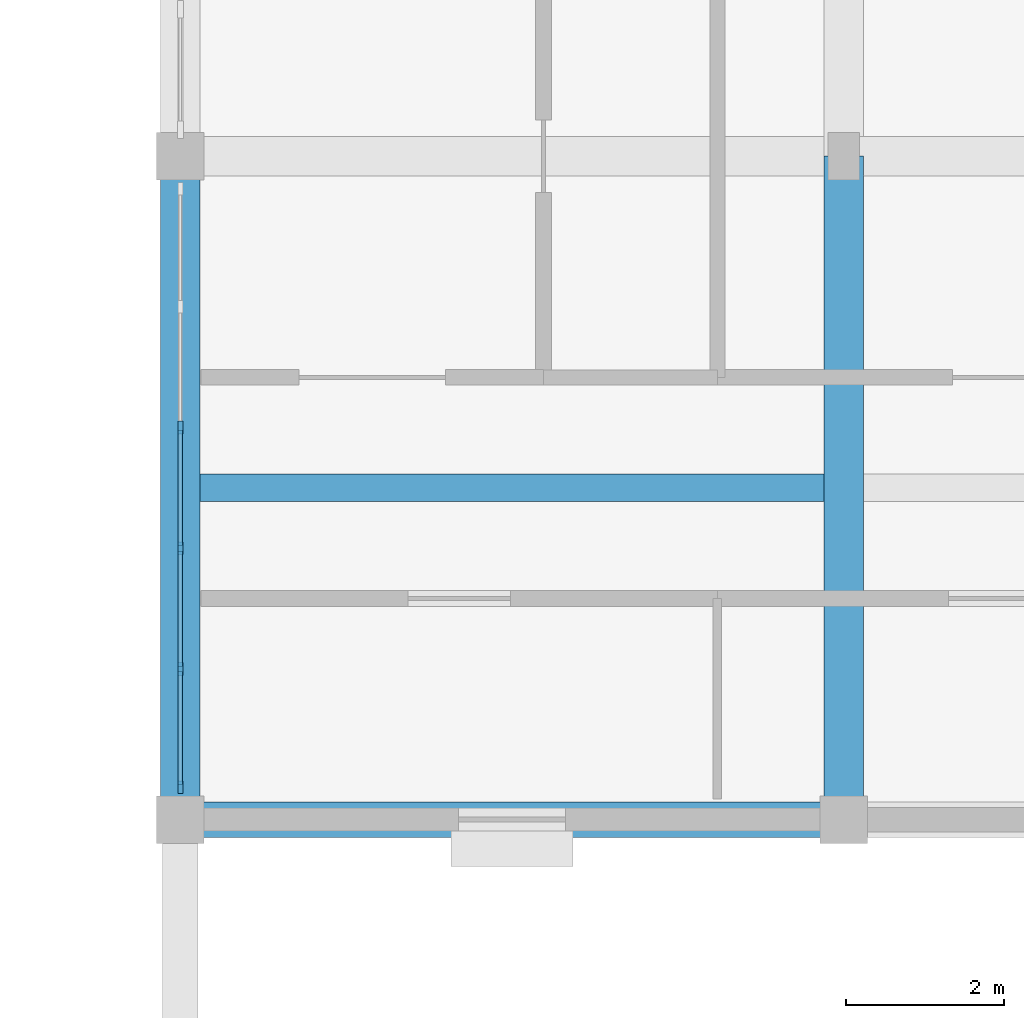
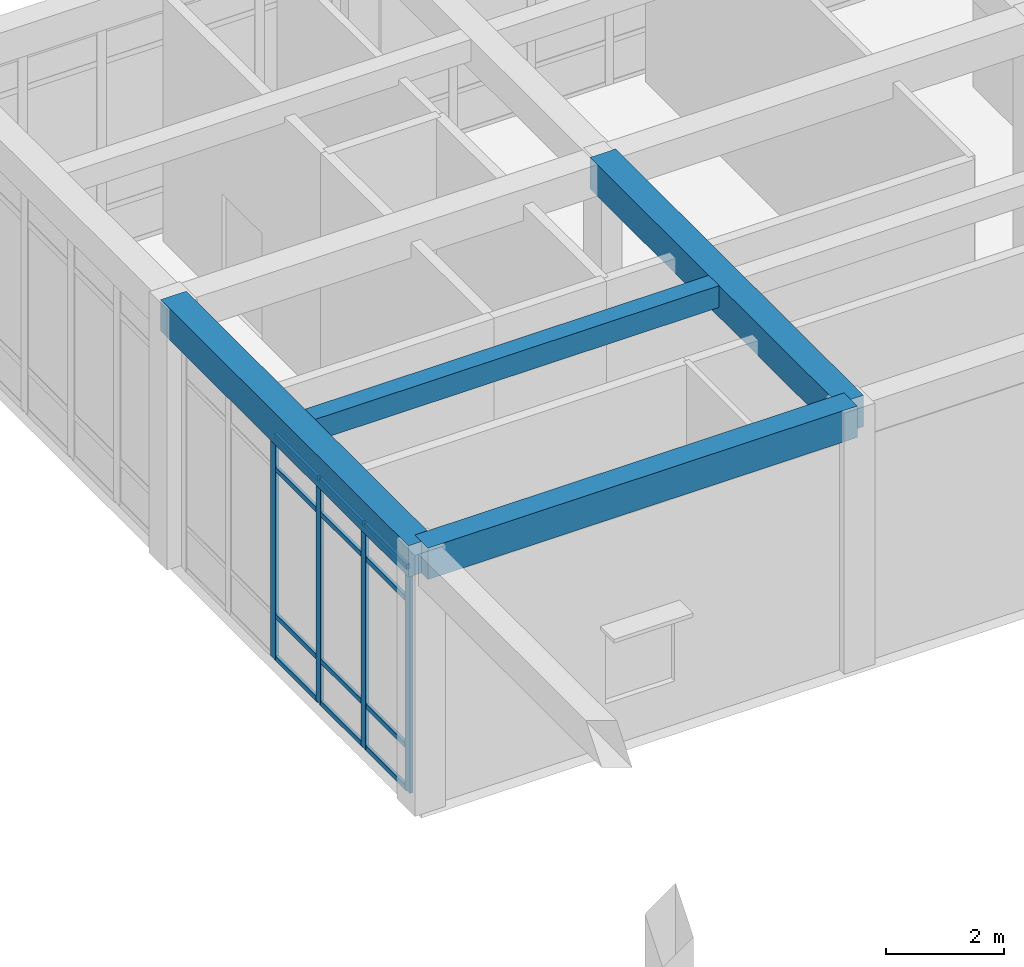
# One storey, part 10 of 89: 16 members, 4 beams, 1 element without a shape of its own.
"""IFC4 building model written with IfcOpenShell, lengths in metres."""

from ifc_helpers import new_model, si_unit, direction, frame, origin, origin_2d, place, context, subcontext, project, spatial, rectangle, extrude, material, material_profile, profile_set, type_object, element, aggregate, save


model = new_model("IFC4")

# Units and contexts
model_context = context("Model", 3, precision=1e-05, world=origin(), true_north=direction((0.0, 1.0)))
body_context = subcontext(model_context, "Body", "Model", "MODEL_VIEW")
ifc_project = project(units=[si_unit("LENGTHUNIT", "METRE"), si_unit("AREAUNIT", "SQUARE_METRE"), si_unit("VOLUMEUNIT", "CUBIC_METRE"), si_unit("PLANEANGLEUNIT", "RADIAN"), si_unit("MASSUNIT", "GRAM", prefix="KILO")], contexts=[model_context])

# Site, building, storey
site_placement = place(None, origin())
site = spatial("IfcSite", under=ifc_project, at=site_placement, CompositionType="ELEMENT")
building_placement = place(site_placement, origin())
building = spatial("IfcBuilding", under=site, at=building_placement, Name="Varncliffe General Hospital", CompositionType="ELEMENT")
storey_placement = place(building_placement, frame((0.0, 0.0, 10.800048828125)))
storey = spatial("IfcBuildingStorey", under=building, at=storey_placement, Name="L02", CompositionType="ELEMENT", Elevation=10.800048828125)

# Beams
ifc_material_1 = material(Name="Concrete C35/45 (CSA A23.1 35 MPa)", Category="concrete")
ifc_material_profile_1 = material_profile(ifc_material_1, rectangle(XDim=0.5, YDim=0.64990234375, at=origin_2d()), Name="RC 500x650")
ifc_profile_set_1 = profile_set([ifc_material_profile_1], Name="Concrete C35/45 (CSA A23.1 35 MPa)")
beam_type_1 = type_object("IfcBeamType", Name="Beam B29 (Int RC 500x650)", PredefinedType="BEAM", material=ifc_profile_set_1)
for number, where, z_axis, x_axis, name in (
    (1, (117.60009765625, 24.0, 5.074951171875), (0.0, 1.0, 0.0), (-1.0, 0.0, 0.0), "L02 Primary Beam B29-388"),
    (2, (126.0, 24.0, 5.074951171875), (0.0, 1.0, 0.0), (-1.0, 0.0, 0.0), "L02 Primary Beam B29-402"),
):
    element("IfcBeam", number, at=place(storey_placement, frame(where, z_axis=z_axis, x_axis=x_axis)), inside=storey, type_object=beam_type_1, Name=name, PredefinedType="BEAM", context=body_context, shape_type="SweptSolid", body=[
        extrude(rectangle(XDim=0.5, YDim=0.64990234375, at=origin_2d()), origin(), (0.0, 0.0, 1.0), 8.39990234375),
    ])

# Curtain wall, members
ifc_material_2 = material(Name="Triple low-E argon insulated vision glazing", Category="glass")
curtain_wall_type = type_object("IfcCurtainWallType", Name="Unitised Glazed Curtain Wall CW27 (7644x4640)", PredefinedType="USERDEFINED", material=ifc_material_2)
curtain_wall_placement = place(storey_placement, origin())
curtain_wall = element("IfcCurtainWall", 3, at=curtain_wall_placement, inside=storey, type_object=curtain_wall_type, Name="L02 Glazed Curtain Wall CW27-116", ObjectType="GLAZED CURTAIN WALL", PredefinedType="USERDEFINED")
ifc_material_3 = material(Name="Dark bronze thermally broken aluminium framing", Category="aluminium")
ifc_material_profile_2 = material_profile(ifc_material_3, rectangle(XDim=0.06494140625, YDim=0.159912109375, at=origin_2d()), Name="ALU 65x160")
ifc_profile_set_2 = profile_set([ifc_material_profile_2], Name="Dark bronze thermally broken aluminium framing")
member_type_1 = type_object("IfcMemberType", Name="Curtain Wall Mullion CM65 (ALU 65x160)", PredefinedType="MULLION", material=ifc_profile_set_2)
member_1_placement = place(storey_placement, frame((117.60009765625, 24.410400390625, 0.0), z_axis=(0.0, 0.0, 1.0), x_axis=(-1.0, 0.0, 0.0)))
member_1 = element("IfcMember", 4, at=member_1_placement, type_object=member_type_1, Name="CW27 mullion 1", PredefinedType="MULLION", context=body_context, shape_type="SweptSolid", body=[
    extrude(rectangle(XDim=0.06494140625, YDim=0.159912109375, at=origin_2d()), origin(), (0.0, 0.0, 1.0), 4.639892578125),
])
member_2_placement = place(storey_placement, frame((117.60009765625, 25.90673828125, 0.0), z_axis=(0.0, 0.0, 1.0), x_axis=(-1.0, 0.0, 0.0)))
member_2 = element("IfcMember", 5, at=member_2_placement, type_object=member_type_1, Name="CW27 mullion 2", PredefinedType="MULLION", context=body_context, shape_type="SweptSolid", body=[
    extrude(rectangle(XDim=0.06494140625, YDim=0.159912109375, at=origin_2d()), origin(), (0.0, 0.0, 1.0), 4.639892578125),
])
member_3_placement = place(storey_placement, frame((117.60009765625, 27.435546875, 0.0), z_axis=(0.0, 0.0, 1.0), x_axis=(-1.0, 0.0, 0.0)))
member_3 = element("IfcMember", 6, at=member_3_placement, type_object=member_type_1, Name="CW27 mullion 3", PredefinedType="MULLION", context=body_context, shape_type="SweptSolid", body=[
    extrude(rectangle(XDim=0.06494140625, YDim=0.159912109375, at=origin_2d()), origin(), (0.0, 0.0, 1.0), 4.639892578125),
])
member_4_placement = place(storey_placement, frame((117.60009765625, 28.96435546875, 0.0), z_axis=(0.0, 0.0, 1.0), x_axis=(-1.0, 0.0, 0.0)))
member_4 = element("IfcMember", 7, at=member_4_placement, type_object=member_type_1, Name="CW27 mullion 4", PredefinedType="MULLION", context=body_context, shape_type="SweptSolid", body=[
    extrude(rectangle(XDim=0.06494140625, YDim=0.159912109375, at=origin_2d()), origin(), (0.0, 0.0, 1.0), 4.639892578125),
])
ifc_material_profile_3 = material_profile(ifc_material_3, rectangle(XDim=0.06005859375, YDim=0.10009765625, at=origin_2d()), Name="ALU 60x100")
ifc_profile_set_3 = profile_set([ifc_material_profile_3], Name="Dark bronze thermally broken aluminium framing")
member_type_2 = type_object("IfcMemberType", Name="Curtain Wall Transom CT18 (ALU 60x100)", PredefinedType="USERDEFINED", material=ifc_profile_set_3)
member_5_placement = place(storey_placement, frame((117.60009765625, 24.443115234375, 0.030029296875), z_axis=(0.0, 1.0, 0.0), x_axis=(-1.0, 0.0, 0.0)))
member_5 = element("IfcMember", 8, at=member_5_placement, type_object=member_type_2, Name="CW27 transom 1.1", ObjectType="TRANSOM", PredefinedType="USERDEFINED", context=body_context, shape_type="SweptSolid", body=[
    extrude(rectangle(XDim=0.06005859375, YDim=0.10009765625, at=origin_2d()), origin(), (0.0, 0.0, 1.0), 1.43115234375),
])
member_6_placement = place(storey_placement, frame((117.60009765625, 24.443115234375, 0.89990234375), z_axis=(0.0, 1.0, 0.0), x_axis=(-1.0, 0.0, 0.0)))
member_6 = element("IfcMember", 9, at=member_6_placement, type_object=member_type_2, Name="CW27 transom 1.2", ObjectType="TRANSOM", PredefinedType="USERDEFINED", context=body_context, shape_type="SweptSolid", body=[
    extrude(rectangle(XDim=0.06005859375, YDim=0.10009765625, at=origin_2d()), origin(), (0.0, 0.0, 1.0), 1.43115234375),
])
member_7_placement = place(storey_placement, frame((117.60009765625, 24.443115234375, 3.93994140625), z_axis=(0.0, 1.0, 0.0), x_axis=(-1.0, 0.0, 0.0)))
member_7 = element("IfcMember", 10, at=member_7_placement, type_object=member_type_2, Name="CW27 transom 1.3", ObjectType="TRANSOM", PredefinedType="USERDEFINED", context=body_context, shape_type="SweptSolid", body=[
    extrude(rectangle(XDim=0.06005859375, YDim=0.10009765625, at=origin_2d()), origin(), (0.0, 0.0, 1.0), 1.43115234375),
])
member_8_placement = place(storey_placement, frame((117.60009765625, 24.443115234375, 4.60986328125), z_axis=(0.0, 1.0, 0.0), x_axis=(-1.0, 0.0, 0.0)))
member_8 = element("IfcMember", 11, at=member_8_placement, type_object=member_type_2, Name="CW27 transom 1.4", ObjectType="TRANSOM", PredefinedType="USERDEFINED", context=body_context, shape_type="SweptSolid", body=[
    extrude(rectangle(XDim=0.06005859375, YDim=0.10009765625, at=origin_2d()), origin(), (0.0, 0.0, 1.0), 1.43115234375),
])
member_9_placement = place(storey_placement, frame((117.60009765625, 25.939208984375, 0.030029296875), z_axis=(0.0, 1.0, 0.0), x_axis=(-1.0, 0.0, 0.0)))
member_9 = element("IfcMember", 12, at=member_9_placement, type_object=member_type_2, Name="CW27 transom 2.1", ObjectType="TRANSOM", PredefinedType="USERDEFINED", context=body_context, shape_type="SweptSolid", body=[
    extrude(rectangle(XDim=0.06005859375, YDim=0.10009765625, at=origin_2d()), origin(), (0.0, 0.0, 1.0), 1.4638671875),
])
member_10_placement = place(storey_placement, frame((117.60009765625, 25.939208984375, 0.89990234375), z_axis=(0.0, 1.0, 0.0), x_axis=(-1.0, 0.0, 0.0)))
member_10 = element("IfcMember", 13, at=member_10_placement, type_object=member_type_2, Name="CW27 transom 2.2", ObjectType="TRANSOM", PredefinedType="USERDEFINED", context=body_context, shape_type="SweptSolid", body=[
    extrude(rectangle(XDim=0.06005859375, YDim=0.10009765625, at=origin_2d()), origin(), (0.0, 0.0, 1.0), 1.4638671875),
])
member_11_placement = place(storey_placement, frame((117.60009765625, 25.939208984375, 3.93994140625), z_axis=(0.0, 1.0, 0.0), x_axis=(-1.0, 0.0, 0.0)))
member_11 = element("IfcMember", 14, at=member_11_placement, type_object=member_type_2, Name="CW27 transom 2.3", ObjectType="TRANSOM", PredefinedType="USERDEFINED", context=body_context, shape_type="SweptSolid", body=[
    extrude(rectangle(XDim=0.06005859375, YDim=0.10009765625, at=origin_2d()), origin(), (0.0, 0.0, 1.0), 1.4638671875),
])
member_12_placement = place(storey_placement, frame((117.60009765625, 25.939208984375, 4.60986328125), z_axis=(0.0, 1.0, 0.0), x_axis=(-1.0, 0.0, 0.0)))
member_12 = element("IfcMember", 15, at=member_12_placement, type_object=member_type_2, Name="CW27 transom 2.4", ObjectType="TRANSOM", PredefinedType="USERDEFINED", context=body_context, shape_type="SweptSolid", body=[
    extrude(rectangle(XDim=0.06005859375, YDim=0.10009765625, at=origin_2d()), origin(), (0.0, 0.0, 1.0), 1.4638671875),
])
member_13_placement = place(storey_placement, frame((117.60009765625, 27.468017578125, 0.030029296875), z_axis=(0.0, 1.0, 0.0), x_axis=(-1.0, 0.0, 0.0)))
member_13 = element("IfcMember", 16, at=member_13_placement, type_object=member_type_2, Name="CW27 transom 3.1", ObjectType="TRANSOM", PredefinedType="USERDEFINED", context=body_context, shape_type="SweptSolid", body=[
    extrude(rectangle(XDim=0.06005859375, YDim=0.10009765625, at=origin_2d()), origin(), (0.0, 0.0, 1.0), 1.4638671875),
])
member_14_placement = place(storey_placement, frame((117.60009765625, 27.468017578125, 0.89990234375), z_axis=(0.0, 1.0, 0.0), x_axis=(-1.0, 0.0, 0.0)))
member_14 = element("IfcMember", 17, at=member_14_placement, type_object=member_type_2, Name="CW27 transom 3.2", ObjectType="TRANSOM", PredefinedType="USERDEFINED", context=body_context, shape_type="SweptSolid", body=[
    extrude(rectangle(XDim=0.06005859375, YDim=0.10009765625, at=origin_2d()), origin(), (0.0, 0.0, 1.0), 1.4638671875),
])
member_15_placement = place(storey_placement, frame((117.60009765625, 27.468017578125, 3.93994140625), z_axis=(0.0, 1.0, 0.0), x_axis=(-1.0, 0.0, 0.0)))
member_15 = element("IfcMember", 18, at=member_15_placement, type_object=member_type_2, Name="CW27 transom 3.3", ObjectType="TRANSOM", PredefinedType="USERDEFINED", context=body_context, shape_type="SweptSolid", body=[
    extrude(rectangle(XDim=0.06005859375, YDim=0.10009765625, at=origin_2d()), origin(), (0.0, 0.0, 1.0), 1.4638671875),
])
member_16_placement = place(storey_placement, frame((117.60009765625, 27.468017578125, 4.60986328125), z_axis=(0.0, 1.0, 0.0), x_axis=(-1.0, 0.0, 0.0)))
member_16 = element("IfcMember", 19, at=member_16_placement, type_object=member_type_2, Name="CW27 transom 3.4", ObjectType="TRANSOM", PredefinedType="USERDEFINED", context=body_context, shape_type="SweptSolid", body=[
    extrude(rectangle(XDim=0.06005859375, YDim=0.10009765625, at=origin_2d()), origin(), (0.0, 0.0, 1.0), 1.4638671875),
])
aggregate(curtain_wall, [member_1, member_2, member_3, member_4, member_5, member_6, member_7, member_8, member_9, member_10, member_11, member_12, member_13, member_14, member_15, member_16])

# Beams
ifc_material_profile_4 = material_profile(ifc_material_1, rectangle(XDim=0.35009765625, YDim=0.449951171875, at=origin_2d()), Name="RC 350x450")
ifc_profile_set_4 = profile_set([ifc_material_profile_4], Name="Concrete C35/45 (CSA A23.1 35 MPa)")
beam_type_2 = type_object("IfcBeamType", Name="Joist J55 (Int RC 350x450)", PredefinedType="JOIST", material=ifc_profile_set_4)
beam_1_placement = place(storey_placement, frame((117.847900390625, 28.199951171875, 5.175048828125), z_axis=(1.0, 0.0, 0.0), x_axis=(0.0, 1.0, 0.0)))
element("IfcBeam", 20, at=beam_1_placement, inside=storey, type_object=beam_type_2, Name="L02 Secondary Floor Rib J55-45", PredefinedType="JOIST", context=body_context, shape_type="SweptSolid", body=[
    extrude(rectangle(XDim=0.35009765625, YDim=0.449951171875, at=origin_2d()), origin(), (0.0, 0.0, 1.0), 7.904052734375),
])
ifc_material_profile_5 = material_profile(ifc_material_1, rectangle(XDim=0.449951171875, YDim=0.64990234375, at=origin_2d()), Name="RC 450x650")
ifc_profile_set_5 = profile_set([ifc_material_profile_5], Name="Concrete C35/45 (CSA A23.1 35 MPa)")
beam_type_3 = type_object("IfcBeamType", Name="Spandrel SP38 (Ext RC 450x650B)", PredefinedType="SPANDREL", material=ifc_profile_set_5)
beam_2_placement = place(storey_placement, frame((117.60009765625, 24.0, 5.074951171875), z_axis=(1.0, 0.0, 0.0), x_axis=(0.0, 1.0, 0.0)))
element("IfcBeam", 21, at=beam_2_placement, inside=storey, type_object=beam_type_3, Name="L02 Spandrel Beam SP38-28", PredefinedType="SPANDREL", context=body_context, shape_type="SweptSolid", body=[
    extrude(rectangle(XDim=0.449951171875, YDim=0.64990234375, at=origin_2d()), origin(), (0.0, 0.0, 1.0), 8.39990234375),
])

save(model, "model.ifc")
